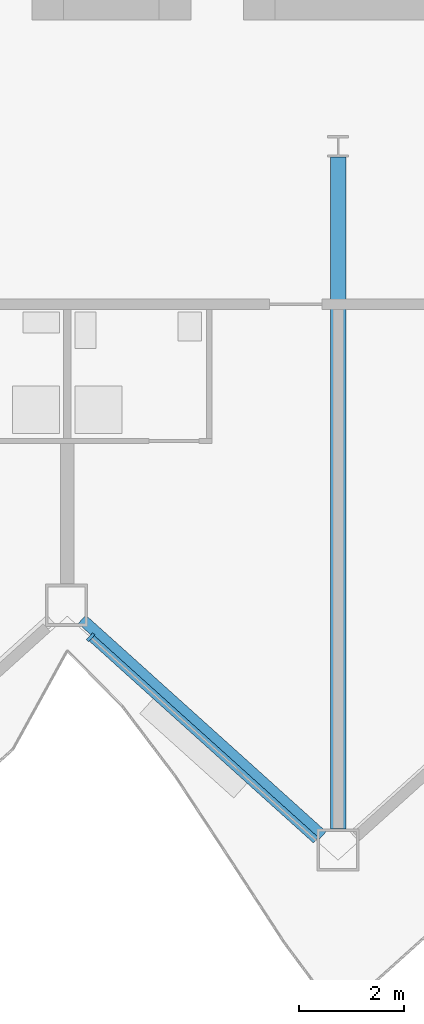
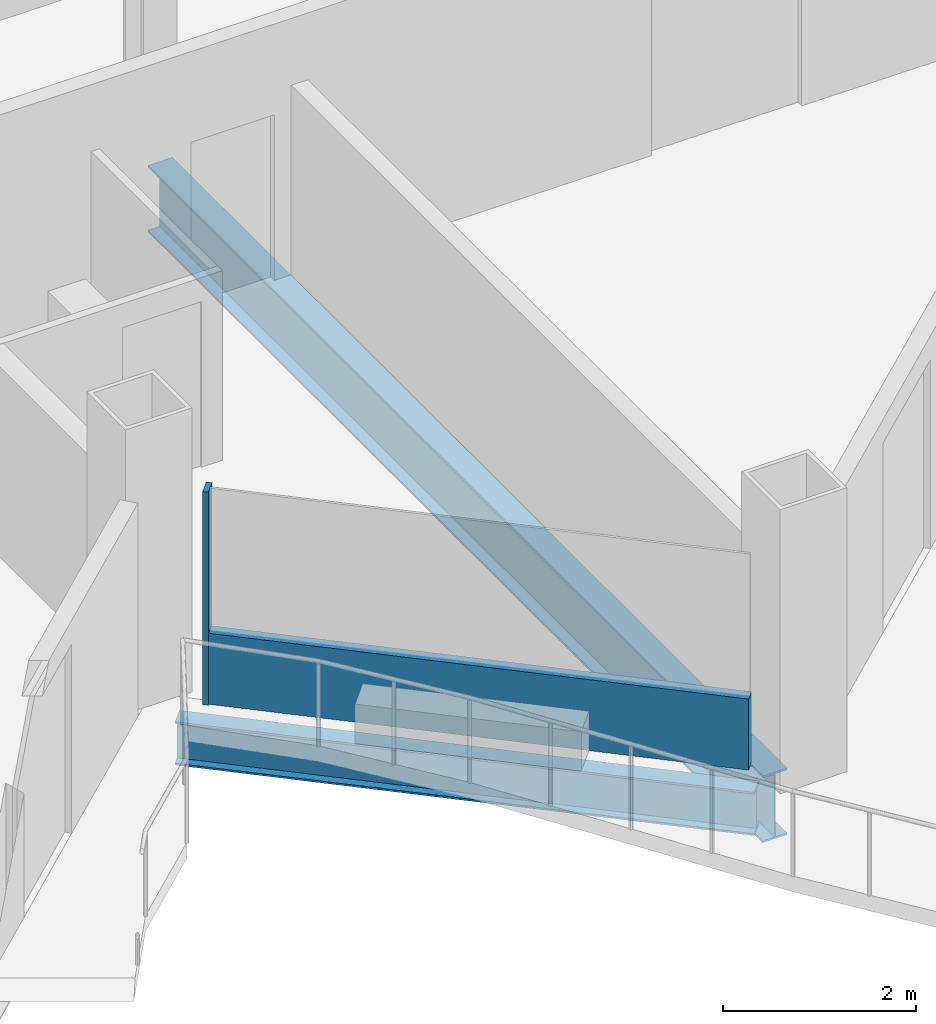
# One storey, part 4 of 24: 2 beams, 2 members, 1 element without a shape of its own.
"""IFC4 building model written with IfcOpenShell, lengths in metres."""

from ifc_helpers import new_model, si_unit, direction, frame, origin, origin_2d, place, context, subcontext, project, spatial, rectangle, i_section, extrude, material, layer, layer_set, material_profile, profile_set, type_object, element, aggregate, save


model = new_model("IFC4")

# Units and contexts
model_context = context("Model", 3, precision=1e-05, world=origin(), true_north=direction((0.0, 1.0)))
body_context = subcontext(model_context, "Body", "Model", "MODEL_VIEW")
ifc_project = project(units=[si_unit("LENGTHUNIT", "METRE"), si_unit("AREAUNIT", "SQUARE_METRE"), si_unit("VOLUMEUNIT", "CUBIC_METRE"), si_unit("PLANEANGLEUNIT", "RADIAN"), si_unit("MASSUNIT", "GRAM", prefix="KILO")], contexts=[model_context])

# Site, building, storey
site_placement = place(None, origin())
site = spatial("IfcSite", under=ifc_project, at=site_placement, CompositionType="ELEMENT")
building_placement = place(site_placement, origin())
building = spatial("IfcBuilding", under=site, at=building_placement, Name="Cormorant Prow Tower", CompositionType="ELEMENT")
storey_placement = place(building_placement, frame((0.0, 0.0, 201.60009765625)))
storey = spatial("IfcBuildingStorey", under=building, at=storey_placement, Name="L44", CompositionType="ELEMENT", Elevation=201.60009765625)

# Curtain wall, members
ifc_material_1 = material(Name="Aluminium 6063-T6", Category="aluminium")
ifc_layer = layer(ifc_material_1, 0.179931640625)
ifc_layer_set = layer_set([ifc_layer], Name="Aluminium 6063-T6")
curtain_wall_type = type_object("IfcCurtainWallType", Name="Hotel unitised curtain wall 180", PredefinedType="NOTDEFINED", material=ifc_layer_set)
curtain_wall_placement = place(storey_placement, origin())
curtain_wall = element("IfcCurtainWall", 1, at=curtain_wall_placement, inside=storey, type_object=curtain_wall_type, Name="Hotel curtain wall S04", PredefinedType="NOTDEFINED")
ifc_material_2 = material(Name="Aluminium 6063-T6", Category="aluminium")
ifc_material_profile_1 = material_profile(ifc_material_2, rectangle(XDim=0.179931640625, YDim=0.06005859375, at=origin_2d()), Name="Hotel mullion 60x180")
ifc_profile_set_1 = profile_set([ifc_material_profile_1], Name="Aluminium 6063-T6")
member_type_1 = type_object("IfcMemberType", Name="Hotel mullion 60x180", PredefinedType="MULLION", material=ifc_profile_set_1)
member_1_placement = place(storey_placement, frame((-4.70361328125, -20.68017578125, 0.0), z_axis=(0.0, 0.0, 1.0), x_axis=(0.669130667631, 0.743144770308, 0.0)))
member_1 = element("IfcMember", 2, at=member_1_placement, type_object=member_type_1, Name="Hotel mullion S04", PredefinedType="MULLION", context=body_context, shape_type="SweptSolid", body=[
    extrude(rectangle(XDim=0.179931640625, YDim=0.06005859375, at=origin_2d()), origin(), (0.0, 0.0, 1.0), 2.70068359375),
])
ifc_material_3 = material(Name="Terracotta", Category="masonry")
ifc_material_profile_2 = material_profile(ifc_material_3, rectangle(XDim=0.139892578125, YDim=0.89990234375, at=origin_2d()), Name="Hotel terracotta spandrel rail 140x900")
ifc_profile_set_2 = profile_set([ifc_material_profile_2], Name="Terracotta")
member_type_2 = type_object("IfcMemberType", Name="Hotel terracotta spandrel rail 140x900", PredefinedType="USERDEFINED", material=ifc_profile_set_2)
member_2_placement = place(storey_placement, frame((-4.681396484375, -20.7001953125, 0.449951171875), z_axis=(0.743154335217, -0.669120044572, 0.0), x_axis=(0.669120044572, 0.743154335217, 0.0)))
member_2 = element("IfcMember", 3, at=member_2_placement, type_object=member_type_2, Name="Hotel spandrel rail S04", ObjectType="TRANSOM", PredefinedType="USERDEFINED", context=body_context, shape_type="SweptSolid", body=[
    extrude(rectangle(XDim=0.139892578125, YDim=0.89990234375, at=origin_2d()), origin(), (0.0, 0.0, 1.0), 5.7314453125),
])
aggregate(curtain_wall, [member_1, member_2])

# Beams
ifc_material_4 = material(Name="Structural steel ASTM A992 Gr 50", Category="steel")
ifc_material_profile_3 = material_profile(ifc_material_4, i_section(OverallWidth=0.29296875, OverallDepth=0.845703125, WebThickness=0.015380859375, FlangeThickness=0.0244140625, at=origin_2d()), Name="W33x141")
ifc_profile_set_3 = profile_set([ifc_material_profile_3], Name="Structural steel ASTM A992 Gr 50")
beam_type_1 = type_object("IfcBeamType", Name="Radial floor beam W33x141", PredefinedType="BEAM", material=ifc_profile_set_3)
beam_1_placement = place(storey_placement, frame((0.0, -11.552734375, -0.77294921875), z_axis=(0.0, -1.0, 0.0), x_axis=(1.0, 0.0, 0.0)))
element("IfcBeam", 4, at=beam_1_placement, inside=storey, type_object=beam_type_1, Name="Radial floor beam FB2 7 L44", PredefinedType="BEAM", context=body_context, shape_type="SweptSolid", body=[
    extrude(i_section(OverallWidth=0.29296875, OverallDepth=0.845703125, WebThickness=0.015380859375, FlangeThickness=0.0244140625, at=origin_2d()), origin(), (0.0, 0.0, 1.0), 12.768798828125),
])
ifc_material_5 = material(Name="Structural steel ASTM A992 Gr 50", Category="steel")
ifc_material_profile_4 = material_profile(ifc_material_5, i_section(OverallWidth=0.2138671875, OverallDepth=0.549072265625, WebThickness=0.0146484375, FlangeThickness=0.023681640625, at=origin_2d()), Name="W21x93")
ifc_profile_set_4 = profile_set([ifc_material_profile_4], Name="Structural steel ASTM A992 Gr 50")
beam_type_2 = type_object("IfcBeamType", Name="Spandrel beam W21x93", PredefinedType="SPANDREL", material=ifc_profile_set_4)
beam_2_placement = place(storey_placement, frame((-4.867431640625, -20.3388671875, -0.624755859375), z_axis=(0.743138178716, -0.669137988261, 0.0), x_axis=(0.669137988261, 0.743138178716, 0.0)))
element("IfcBeam", 5, at=beam_2_placement, inside=storey, type_object=beam_type_2, Name="Spandrel beam SB2 S04-S05 L44", PredefinedType="SPANDREL", context=body_context, shape_type="SweptSolid", body=[
    extrude(i_section(OverallWidth=0.2138671875, OverallDepth=0.549072265625, WebThickness=0.0146484375, FlangeThickness=0.023681640625, at=origin_2d()), origin(), (0.0, 0.0, 1.0), 6.149658203125),
])

save(model, "model.ifc")
